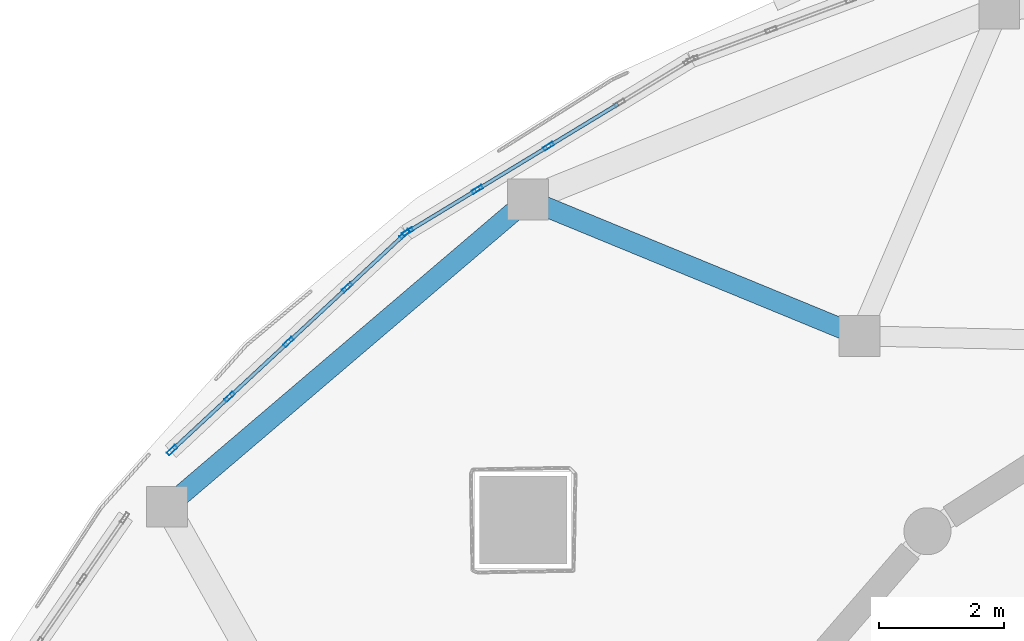
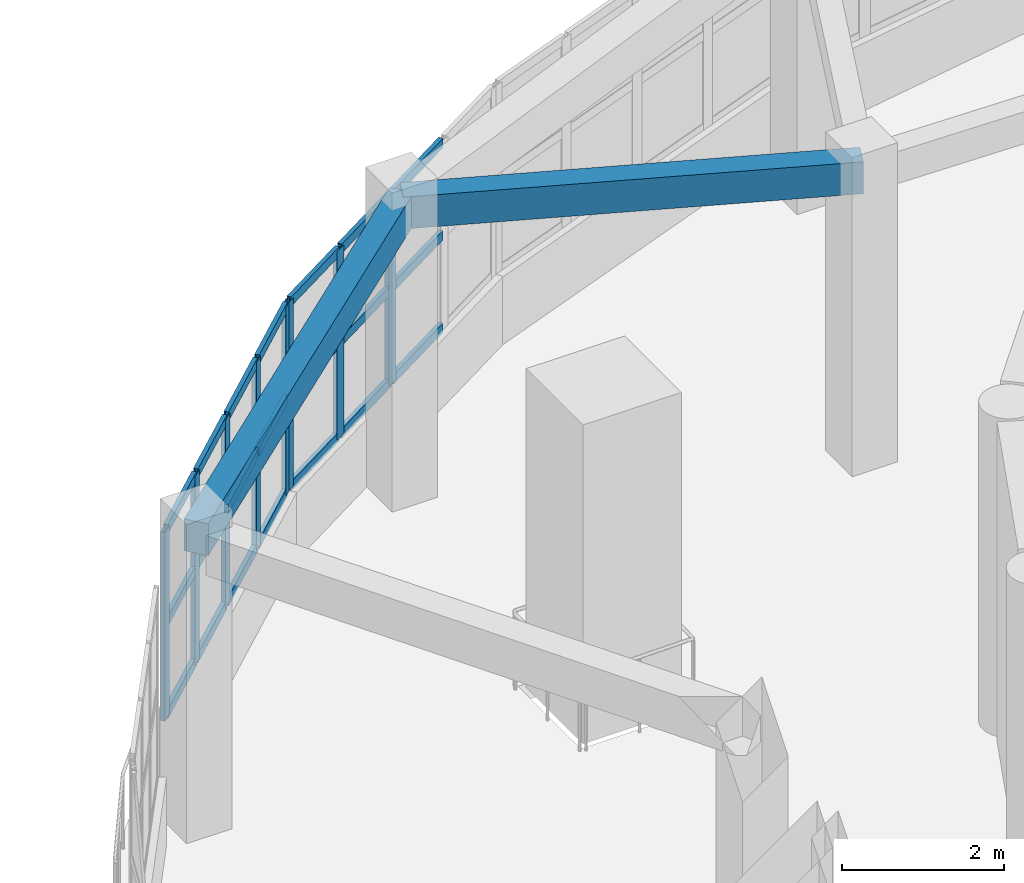
# One storey, part 57 of 105: 29 members, 2 beams, 2 elements without a shape of their own.
"""IFC4 building model written with IfcOpenShell, lengths in metres."""

from ifc_helpers import new_model, si_unit, direction, frame, origin, origin_2d, place, context, subcontext, project, spatial, rectangle, hollow_rectangle, extrude, material, layer, layer_set, material_profile, profile_set, type_object, element, aggregate, save


model = new_model("IFC4")

# Units and contexts
model_context = context("Model", 3, precision=1e-05, world=origin(), true_north=direction((0.0, 1.0)))
body_context = subcontext(model_context, "Body", "Model", "MODEL_VIEW")
ifc_project = project(units=[si_unit("LENGTHUNIT", "METRE"), si_unit("AREAUNIT", "SQUARE_METRE"), si_unit("VOLUMEUNIT", "CUBIC_METRE"), si_unit("PLANEANGLEUNIT", "RADIAN"), si_unit("MASSUNIT", "GRAM", prefix="KILO")], contexts=[model_context])

# Site, building, storey
site_placement = place(None, origin())
site = spatial("IfcSite", under=ifc_project, at=site_placement, CompositionType="ELEMENT")
building_placement = place(site_placement, origin())
building = spatial("IfcBuilding", under=site, at=building_placement, Name="Pelvatis Terrace Science Centre", CompositionType="ELEMENT")
storey_placement = place(building_placement, frame((0.0, 0.0, 10.199951171875)))
storey = spatial("IfcBuildingStorey", under=building, at=storey_placement, Name="L02", CompositionType="ELEMENT", Elevation=10.199951171875)

# Beams
ifc_material_1 = material(Name="Concrete C35/45", Category="concrete")
ifc_material_profile_1 = material_profile(ifc_material_1, rectangle(XDim=0.320068359375, YDim=0.47998046875, at=origin_2d()), Name="RC-BM 320x480")
ifc_profile_set_1 = profile_set([ifc_material_profile_1], Name="Concrete C35/45")
beam_type = type_object("IfcBeamType", Name="BM-RC-320x480", PredefinedType="BEAM", material=ifc_profile_set_1)
beam_1_placement = place(storey_placement, frame((94.575927734375, 100.61376953125, 4.300048828125), z_axis=(-0.761281604666, -0.64842140495, 0.0), x_axis=(0.64842140495, -0.761281604666, 0.0)))
element("IfcBeam", 1, at=beam_1_placement, inside=storey, type_object=beam_type, Name="Beam BM-L02-2905", PredefinedType="BEAM", context=body_context, shape_type="SweptSolid", body=[
    extrude(rectangle(XDim=0.320068359375, YDim=0.47998046875, at=origin_2d()), origin(), (0.0, 0.0, 1.0), 7.560546875),
])
beam_2_placement = place(storey_placement, frame((94.575927734375, 100.61376953125, 4.300048828125), z_axis=(0.924857425054, -0.380314006214, 0.0), x_axis=(0.380314006214, 0.924857425054, 0.0)))
element("IfcBeam", 2, at=beam_2_placement, inside=storey, type_object=beam_type, Name="Beam BM-L02-2906", PredefinedType="BEAM", context=body_context, shape_type="SweptSolid", body=[
    extrude(rectangle(XDim=0.320068359375, YDim=0.47998046875, at=origin_2d()), origin(), (0.0, 0.0, 1.0), 5.720458984375),
])

# Curtain wall, members
ifc_material_2 = material(Name="Bronze-anodised aluminium and laminated glass", Category="aluminium")
ifc_layer = layer(ifc_material_2, 0.179931640625)
ifc_layer_set = layer_set([ifc_layer], Name="Bronze-anodised aluminium and laminated glass")
curtain_wall_type = type_object("IfcCurtainWallType", Name="CW-RIBBON-A", PredefinedType="NOTDEFINED", material=ifc_layer_set)
curtain_wall_1_placement = place(storey_placement, origin())
curtain_wall_1 = element("IfcCurtainWall", 3, at=curtain_wall_1_placement, inside=storey, type_object=curtain_wall_type, Name="Ribbon curtain wall CW-164 (L02)", PredefinedType="NOTDEFINED")
ifc_material_3 = material(Name="Bronze-anodised aluminium 6063-T6", Category="aluminium")
ifc_material_profile_2 = material_profile(ifc_material_3, hollow_rectangle(XDim=0.06005859375, YDim=0.179931640625, WallThickness=0.00390625, at=origin_2d()), Name="ALU-MUL 60x180")
ifc_profile_set_2 = profile_set([ifc_material_profile_2], Name="Bronze-anodised aluminium 6063-T6")
member_type_1 = type_object("IfcMemberType", Name="CWM-60x180", PredefinedType="MULLION", material=ifc_profile_set_2)
member_1_placement = place(storey_placement, frame((94.904296875, 101.462890625, 1.02001953125), z_axis=(0.0, 0.0, 1.0), x_axis=(0.519190278561, -0.854658677279, 0.0)))
member_1 = element("IfcMember", 4, at=member_1_placement, type_object=member_type_1, Name="CW-164 mullion 3", PredefinedType="MULLION", context=body_context, shape_type="SweptSolid", body=[
    extrude(hollow_rectangle(XDim=0.06005859375, YDim=0.179931640625, WallThickness=0.00390625, at=origin_2d()), origin(), (0.0, 0.0, 1.0), 2.840087890625),
])
member_2_placement = place(storey_placement, frame((93.76904296875, 100.773193359375, 1.02001953125), z_axis=(0.0, 0.0, 1.0), x_axis=(0.519190278561, -0.854658677279, 0.0)))
member_2 = element("IfcMember", 5, at=member_2_placement, type_object=member_type_1, Name="CW-164 mullion 4", PredefinedType="MULLION", context=body_context, shape_type="SweptSolid", body=[
    extrude(hollow_rectangle(XDim=0.06005859375, YDim=0.179931640625, WallThickness=0.00390625, at=origin_2d()), origin(), (0.0, 0.0, 1.0), 2.840087890625),
])
member_3_placement = place(storey_placement, frame((92.659423828125, 100.09912109375, 1.02001953125), z_axis=(0.0, 0.0, 1.0), x_axis=(0.519190278561, -0.854658677279, 0.0)))
member_3 = element("IfcMember", 6, at=member_3_placement, type_object=member_type_1, Name="CW-164 mullion 5", PredefinedType="MULLION", context=body_context, shape_type="SweptSolid", body=[
    extrude(hollow_rectangle(XDim=0.06005859375, YDim=0.179931640625, WallThickness=0.00390625, at=origin_2d()), origin(), (0.0, 0.0, 1.0), 2.840087890625),
])

curtain_wall_2_placement = place(storey_placement, origin())
curtain_wall_2 = element("IfcCurtainWall", 7, at=curtain_wall_2_placement, inside=storey, type_object=curtain_wall_type, Name="Ribbon curtain wall CW-165 (L02)", PredefinedType="NOTDEFINED")
member_4_placement = place(storey_placement, frame((92.61181640625, 100.063232421875, 1.02001953125), z_axis=(0.0, 0.0, 1.0), x_axis=(0.680469807369, -0.732776119466, 0.0)))
member_4 = element("IfcMember", 8, at=member_4_placement, type_object=member_type_1, Name="CW-165 mullion 1", PredefinedType="MULLION", context=body_context, shape_type="SweptSolid", body=[
    extrude(hollow_rectangle(XDim=0.06005859375, YDim=0.179931640625, WallThickness=0.00390625, at=origin_2d()), origin(), (0.0, 0.0, 1.0), 2.840087890625),
])
member_5_placement = place(storey_placement, frame((91.69482421875, 99.211669921875, 1.02001953125), z_axis=(0.0, 0.0, 1.0), x_axis=(0.680469807369, -0.732776119466, 0.0)))
member_5 = element("IfcMember", 9, at=member_5_placement, type_object=member_type_1, Name="CW-165 mullion 2", PredefinedType="MULLION", context=body_context, shape_type="SweptSolid", body=[
    extrude(hollow_rectangle(XDim=0.06005859375, YDim=0.179931640625, WallThickness=0.00390625, at=origin_2d()), origin(), (0.0, 0.0, 1.0), 2.840087890625),
])
member_6_placement = place(storey_placement, frame((90.755859375, 98.339599609375, 1.02001953125), z_axis=(0.0, 0.0, 1.0), x_axis=(0.680469807369, -0.732776119466, 0.0)))
member_6 = element("IfcMember", 10, at=member_6_placement, type_object=member_type_1, Name="CW-165 mullion 3", PredefinedType="MULLION", context=body_context, shape_type="SweptSolid", body=[
    extrude(hollow_rectangle(XDim=0.06005859375, YDim=0.179931640625, WallThickness=0.00390625, at=origin_2d()), origin(), (0.0, 0.0, 1.0), 2.840087890625),
])
member_7_placement = place(storey_placement, frame((89.81689453125, 97.4677734375, 1.02001953125), z_axis=(0.0, 0.0, 1.0), x_axis=(0.680469807369, -0.732776119466, 0.0)))
member_7 = element("IfcMember", 11, at=member_7_placement, type_object=member_type_1, Name="CW-165 mullion 4", PredefinedType="MULLION", context=body_context, shape_type="SweptSolid", body=[
    extrude(hollow_rectangle(XDim=0.06005859375, YDim=0.179931640625, WallThickness=0.00390625, at=origin_2d()), origin(), (0.0, 0.0, 1.0), 2.840087890625),
])
member_8_placement = place(storey_placement, frame((88.89990234375, 96.6162109375, 1.02001953125), z_axis=(0.0, 0.0, 1.0), x_axis=(0.680469807369, -0.732776119466, 0.0)))
member_8 = element("IfcMember", 12, at=member_8_placement, type_object=member_type_1, Name="CW-165 mullion 5", PredefinedType="MULLION", context=body_context, shape_type="SweptSolid", body=[
    extrude(hollow_rectangle(XDim=0.06005859375, YDim=0.179931640625, WallThickness=0.00390625, at=origin_2d()), origin(), (0.0, 0.0, 1.0), 2.840087890625),
])

# Member
ifc_material_4 = material(Name="Bronze-anodised aluminium 6063-T6", Category="aluminium")
ifc_material_profile_3 = material_profile(ifc_material_4, hollow_rectangle(XDim=0.06005859375, YDim=0.139892578125, WallThickness=0.00390625, at=origin_2d()), Name="ALU-TRN 60x140")
ifc_profile_set_3 = profile_set([ifc_material_profile_3], Name="Bronze-anodised aluminium 6063-T6")
member_type_2 = type_object("IfcMemberType", Name="CWT-60x140", PredefinedType="USERDEFINED", material=ifc_profile_set_3)
member_9_placement = place(storey_placement, frame((96.01416015625, 102.136962890625, 1.050048828125), z_axis=(-0.854729573595, -0.519073555502, 0.0), x_axis=(0.519073555502, -0.854729573595, 0.0)))
member_9 = element("IfcMember", 13, at=member_9_placement, type_object=member_type_2, Name="CW-164 transom 2.1", ObjectType="TRANSOM", PredefinedType="USERDEFINED", context=body_context, shape_type="SweptSolid", body=[
    extrude(hollow_rectangle(XDim=0.06005859375, YDim=0.139892578125, WallThickness=0.00390625, at=origin_2d()), origin(), (0.0, 0.0, 1.0), 1.2685546875),
])

member_10_placement = place(storey_placement, frame((96.01416015625, 102.136962890625, 2.43994140625), z_axis=(-0.854729573595, -0.519073555502, 0.0), x_axis=(0.519073555502, -0.854729573595, 0.0)))
member_10 = element("IfcMember", 14, at=member_10_placement, type_object=member_type_2, Name="CW-164 transom 2.2", ObjectType="TRANSOM", PredefinedType="USERDEFINED", context=body_context, shape_type="SweptSolid", body=[
    extrude(hollow_rectangle(XDim=0.06005859375, YDim=0.139892578125, WallThickness=0.00390625, at=origin_2d()), origin(), (0.0, 0.0, 1.0), 1.2685546875),
])

member_11_placement = place(storey_placement, frame((96.01416015625, 102.136962890625, 3.830078125), z_axis=(-0.854729573595, -0.519073555502, 0.0), x_axis=(0.519073555502, -0.854729573595, 0.0)))
member_11 = element("IfcMember", 15, at=member_11_placement, type_object=member_type_2, Name="CW-164 transom 2.3", ObjectType="TRANSOM", PredefinedType="USERDEFINED", context=body_context, shape_type="SweptSolid", body=[
    extrude(hollow_rectangle(XDim=0.06005859375, YDim=0.139892578125, WallThickness=0.00390625, at=origin_2d()), origin(), (0.0, 0.0, 1.0), 1.2685546875),
])

member_12_placement = place(storey_placement, frame((94.878662109375, 101.447265625, 1.050048828125), z_axis=(-0.85467770399, -0.519158956681, 0.0), x_axis=(0.519158956681, -0.85467770399, 0.0)))
member_12 = element("IfcMember", 16, at=member_12_placement, type_object=member_type_2, Name="CW-164 transom 3.1", ObjectType="TRANSOM", PredefinedType="USERDEFINED", context=body_context, shape_type="SweptSolid", body=[
    extrude(hollow_rectangle(XDim=0.06005859375, YDim=0.139892578125, WallThickness=0.00390625, at=origin_2d()), origin(), (0.0, 0.0, 1.0), 1.268310546875),
])

member_13_placement = place(storey_placement, frame((94.878662109375, 101.447265625, 2.43994140625), z_axis=(-0.85467770399, -0.519158956681, 0.0), x_axis=(0.519158956681, -0.85467770399, 0.0)))
member_13 = element("IfcMember", 17, at=member_13_placement, type_object=member_type_2, Name="CW-164 transom 3.2", ObjectType="TRANSOM", PredefinedType="USERDEFINED", context=body_context, shape_type="SweptSolid", body=[
    extrude(hollow_rectangle(XDim=0.06005859375, YDim=0.139892578125, WallThickness=0.00390625, at=origin_2d()), origin(), (0.0, 0.0, 1.0), 1.268310546875),
])

member_14_placement = place(storey_placement, frame((94.878662109375, 101.447265625, 3.830078125), z_axis=(-0.85467770399, -0.519158956681, 0.0), x_axis=(0.519158956681, -0.85467770399, 0.0)))
member_14 = element("IfcMember", 18, at=member_14_placement, type_object=member_type_2, Name="CW-164 transom 3.3", ObjectType="TRANSOM", PredefinedType="USERDEFINED", context=body_context, shape_type="SweptSolid", body=[
    extrude(hollow_rectangle(XDim=0.06005859375, YDim=0.139892578125, WallThickness=0.00390625, at=origin_2d()), origin(), (0.0, 0.0, 1.0), 1.268310546875),
])

member_15_placement = place(storey_placement, frame((93.743408203125, 100.7578125, 1.050048828125), z_axis=(-0.854609431055, -0.519271335963, 0.0), x_axis=(0.519271335963, -0.854609431055, 0.0)))
member_15 = element("IfcMember", 19, at=member_15_placement, type_object=member_type_2, Name="CW-164 transom 4.1", ObjectType="TRANSOM", PredefinedType="USERDEFINED", context=body_context, shape_type="SweptSolid", body=[
    extrude(hollow_rectangle(XDim=0.06005859375, YDim=0.139892578125, WallThickness=0.00390625, at=origin_2d()), origin(), (0.0, 0.0, 1.0), 1.23828125),
])

member_16_placement = place(storey_placement, frame((93.743408203125, 100.7578125, 2.43994140625), z_axis=(-0.854609431055, -0.519271335963, 0.0), x_axis=(0.519271335963, -0.854609431055, 0.0)))
member_16 = element("IfcMember", 20, at=member_16_placement, type_object=member_type_2, Name="CW-164 transom 4.2", ObjectType="TRANSOM", PredefinedType="USERDEFINED", context=body_context, shape_type="SweptSolid", body=[
    extrude(hollow_rectangle(XDim=0.06005859375, YDim=0.139892578125, WallThickness=0.00390625, at=origin_2d()), origin(), (0.0, 0.0, 1.0), 1.23828125),
])

member_17_placement = place(storey_placement, frame((93.743408203125, 100.7578125, 3.830078125), z_axis=(-0.854609431055, -0.519271335963, 0.0), x_axis=(0.519271335963, -0.854609431055, 0.0)))
member_17 = element("IfcMember", 21, at=member_17_placement, type_object=member_type_2, Name="CW-164 transom 4.3", ObjectType="TRANSOM", PredefinedType="USERDEFINED", context=body_context, shape_type="SweptSolid", body=[
    extrude(hollow_rectangle(XDim=0.06005859375, YDim=0.139892578125, WallThickness=0.00390625, at=origin_2d()), origin(), (0.0, 0.0, 1.0), 1.23828125),
])

aggregate(curtain_wall_1, [member_1, member_2, member_3, member_9, member_10, member_11, member_12, member_13, member_14, member_15, member_16, member_17])

member_18_placement = place(storey_placement, frame((92.58984375, 100.042724609375, 1.050048828125), z_axis=(-0.732851881711, -0.680388212327, 0.0), x_axis=(0.680388212327, -0.732851881711, 0.0)))
member_18 = element("IfcMember", 22, at=member_18_placement, type_object=member_type_2, Name="CW-165 transom 1.1", ObjectType="TRANSOM", PredefinedType="USERDEFINED", context=body_context, shape_type="SweptSolid", body=[
    extrude(hollow_rectangle(XDim=0.06005859375, YDim=0.139892578125, WallThickness=0.00390625, at=origin_2d()), origin(), (0.0, 0.0, 1.0), 1.19140625),
])

member_19_placement = place(storey_placement, frame((92.58984375, 100.042724609375, 2.43994140625), z_axis=(-0.732851881711, -0.680388212327, 0.0), x_axis=(0.680388212327, -0.732851881711, 0.0)))
member_19 = element("IfcMember", 23, at=member_19_placement, type_object=member_type_2, Name="CW-165 transom 1.2", ObjectType="TRANSOM", PredefinedType="USERDEFINED", context=body_context, shape_type="SweptSolid", body=[
    extrude(hollow_rectangle(XDim=0.06005859375, YDim=0.139892578125, WallThickness=0.00390625, at=origin_2d()), origin(), (0.0, 0.0, 1.0), 1.19140625),
])

member_20_placement = place(storey_placement, frame((92.58984375, 100.042724609375, 3.830078125), z_axis=(-0.732851881711, -0.680388212327, 0.0), x_axis=(0.680388212327, -0.732851881711, 0.0)))
member_20 = element("IfcMember", 24, at=member_20_placement, type_object=member_type_2, Name="CW-165 transom 1.3", ObjectType="TRANSOM", PredefinedType="USERDEFINED", context=body_context, shape_type="SweptSolid", body=[
    extrude(hollow_rectangle(XDim=0.06005859375, YDim=0.139892578125, WallThickness=0.00390625, at=origin_2d()), origin(), (0.0, 0.0, 1.0), 1.19140625),
])

member_21_placement = place(storey_placement, frame((91.6728515625, 99.191162109375, 1.050048828125), z_axis=(-0.732807730419, -0.680435764961, 0.0), x_axis=(0.680435764961, -0.732807730419, 0.0)))
member_21 = element("IfcMember", 25, at=member_21_placement, type_object=member_type_2, Name="CW-165 transom 2.1", ObjectType="TRANSOM", PredefinedType="USERDEFINED", context=body_context, shape_type="SweptSolid", body=[
    extrude(hollow_rectangle(XDim=0.06005859375, YDim=0.139892578125, WallThickness=0.00390625, at=origin_2d()), origin(), (0.0, 0.0, 1.0), 1.221435546875),
])

member_22_placement = place(storey_placement, frame((91.6728515625, 99.191162109375, 2.43994140625), z_axis=(-0.732807730419, -0.680435764961, 0.0), x_axis=(0.680435764961, -0.732807730419, 0.0)))
member_22 = element("IfcMember", 26, at=member_22_placement, type_object=member_type_2, Name="CW-165 transom 2.2", ObjectType="TRANSOM", PredefinedType="USERDEFINED", context=body_context, shape_type="SweptSolid", body=[
    extrude(hollow_rectangle(XDim=0.06005859375, YDim=0.139892578125, WallThickness=0.00390625, at=origin_2d()), origin(), (0.0, 0.0, 1.0), 1.221435546875),
])

member_23_placement = place(storey_placement, frame((91.6728515625, 99.191162109375, 3.830078125), z_axis=(-0.732807730419, -0.680435764961, 0.0), x_axis=(0.680435764961, -0.732807730419, 0.0)))
member_23 = element("IfcMember", 27, at=member_23_placement, type_object=member_type_2, Name="CW-165 transom 2.3", ObjectType="TRANSOM", PredefinedType="USERDEFINED", context=body_context, shape_type="SweptSolid", body=[
    extrude(hollow_rectangle(XDim=0.06005859375, YDim=0.139892578125, WallThickness=0.00390625, at=origin_2d()), origin(), (0.0, 0.0, 1.0), 1.221435546875),
])

member_24_placement = place(storey_placement, frame((90.73388671875, 98.3193359375, 1.050048828125), z_axis=(-0.732807730419, -0.680435764961, 0.0), x_axis=(0.680435764961, -0.732807730419, 0.0)))
member_24 = element("IfcMember", 28, at=member_24_placement, type_object=member_type_2, Name="CW-165 transom 3.1", ObjectType="TRANSOM", PredefinedType="USERDEFINED", context=body_context, shape_type="SweptSolid", body=[
    extrude(hollow_rectangle(XDim=0.06005859375, YDim=0.139892578125, WallThickness=0.00390625, at=origin_2d()), origin(), (0.0, 0.0, 1.0), 1.221435546875),
])

member_25_placement = place(storey_placement, frame((90.73388671875, 98.3193359375, 2.43994140625), z_axis=(-0.732807730419, -0.680435764961, 0.0), x_axis=(0.680435764961, -0.732807730419, 0.0)))
member_25 = element("IfcMember", 29, at=member_25_placement, type_object=member_type_2, Name="CW-165 transom 3.2", ObjectType="TRANSOM", PredefinedType="USERDEFINED", context=body_context, shape_type="SweptSolid", body=[
    extrude(hollow_rectangle(XDim=0.06005859375, YDim=0.139892578125, WallThickness=0.00390625, at=origin_2d()), origin(), (0.0, 0.0, 1.0), 1.221435546875),
])

member_26_placement = place(storey_placement, frame((90.73388671875, 98.3193359375, 3.830078125), z_axis=(-0.732807730419, -0.680435764961, 0.0), x_axis=(0.680435764961, -0.732807730419, 0.0)))
member_26 = element("IfcMember", 30, at=member_26_placement, type_object=member_type_2, Name="CW-165 transom 3.3", ObjectType="TRANSOM", PredefinedType="USERDEFINED", context=body_context, shape_type="SweptSolid", body=[
    extrude(hollow_rectangle(XDim=0.06005859375, YDim=0.139892578125, WallThickness=0.00390625, at=origin_2d()), origin(), (0.0, 0.0, 1.0), 1.221435546875),
])

member_27_placement = place(storey_placement, frame((89.794921875, 97.447265625, 1.050048828125), z_axis=(-0.732851881711, -0.680388212327, 0.0), x_axis=(0.680388212327, -0.732851881711, 0.0)))
member_27 = element("IfcMember", 31, at=member_27_placement, type_object=member_type_2, Name="CW-165 transom 4.1", ObjectType="TRANSOM", PredefinedType="USERDEFINED", context=body_context, shape_type="SweptSolid", body=[
    extrude(hollow_rectangle(XDim=0.06005859375, YDim=0.139892578125, WallThickness=0.00390625, at=origin_2d()), origin(), (0.0, 0.0, 1.0), 1.19140625),
])

member_28_placement = place(storey_placement, frame((89.794921875, 97.447265625, 2.43994140625), z_axis=(-0.732851881711, -0.680388212327, 0.0), x_axis=(0.680388212327, -0.732851881711, 0.0)))
member_28 = element("IfcMember", 32, at=member_28_placement, type_object=member_type_2, Name="CW-165 transom 4.2", ObjectType="TRANSOM", PredefinedType="USERDEFINED", context=body_context, shape_type="SweptSolid", body=[
    extrude(hollow_rectangle(XDim=0.06005859375, YDim=0.139892578125, WallThickness=0.00390625, at=origin_2d()), origin(), (0.0, 0.0, 1.0), 1.19140625),
])

member_29_placement = place(storey_placement, frame((89.794921875, 97.447265625, 3.830078125), z_axis=(-0.732851881711, -0.680388212327, 0.0), x_axis=(0.680388212327, -0.732851881711, 0.0)))
member_29 = element("IfcMember", 33, at=member_29_placement, type_object=member_type_2, Name="CW-165 transom 4.3", ObjectType="TRANSOM", PredefinedType="USERDEFINED", context=body_context, shape_type="SweptSolid", body=[
    extrude(hollow_rectangle(XDim=0.06005859375, YDim=0.139892578125, WallThickness=0.00390625, at=origin_2d()), origin(), (0.0, 0.0, 1.0), 1.19140625),
])

aggregate(curtain_wall_2, [member_4, member_5, member_6, member_7, member_8, member_18, member_19, member_20, member_21, member_22, member_23, member_24, member_25, member_26, member_27, member_28, member_29])

save(model, "model.ifc")
